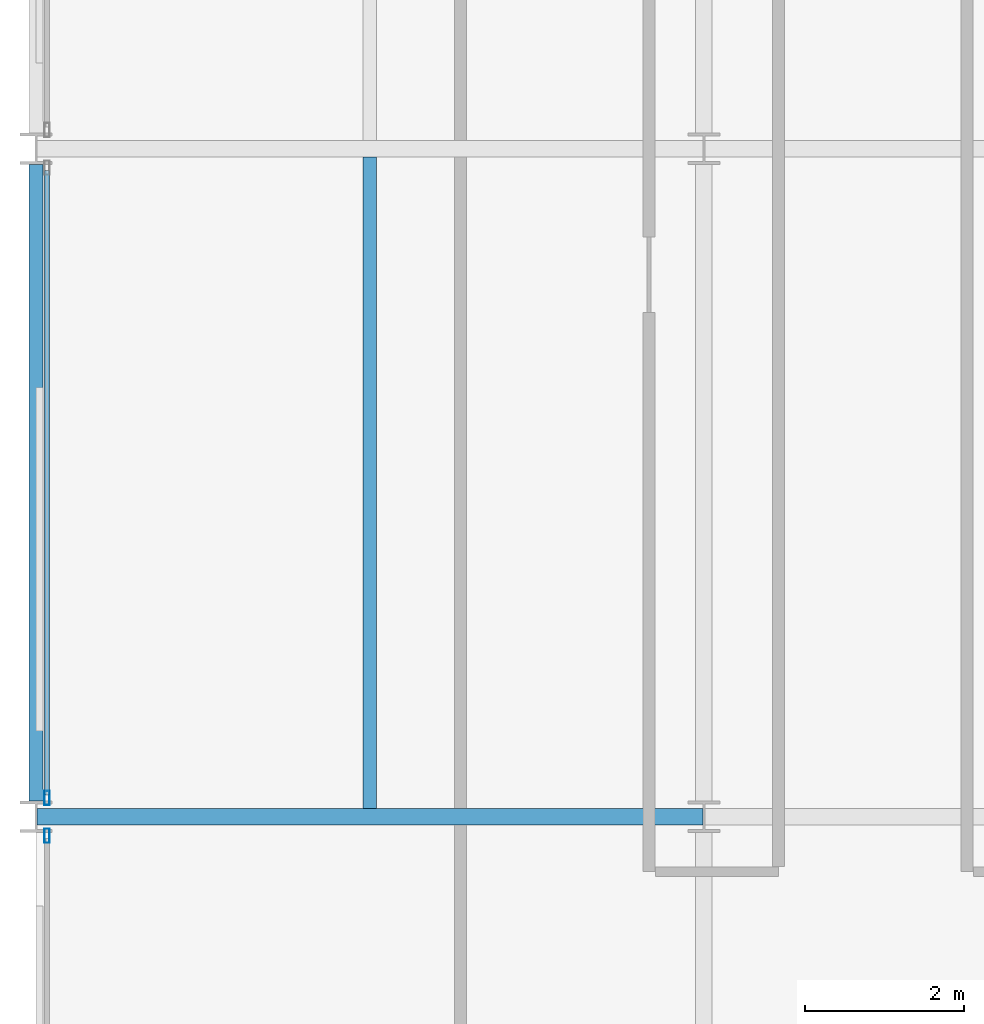
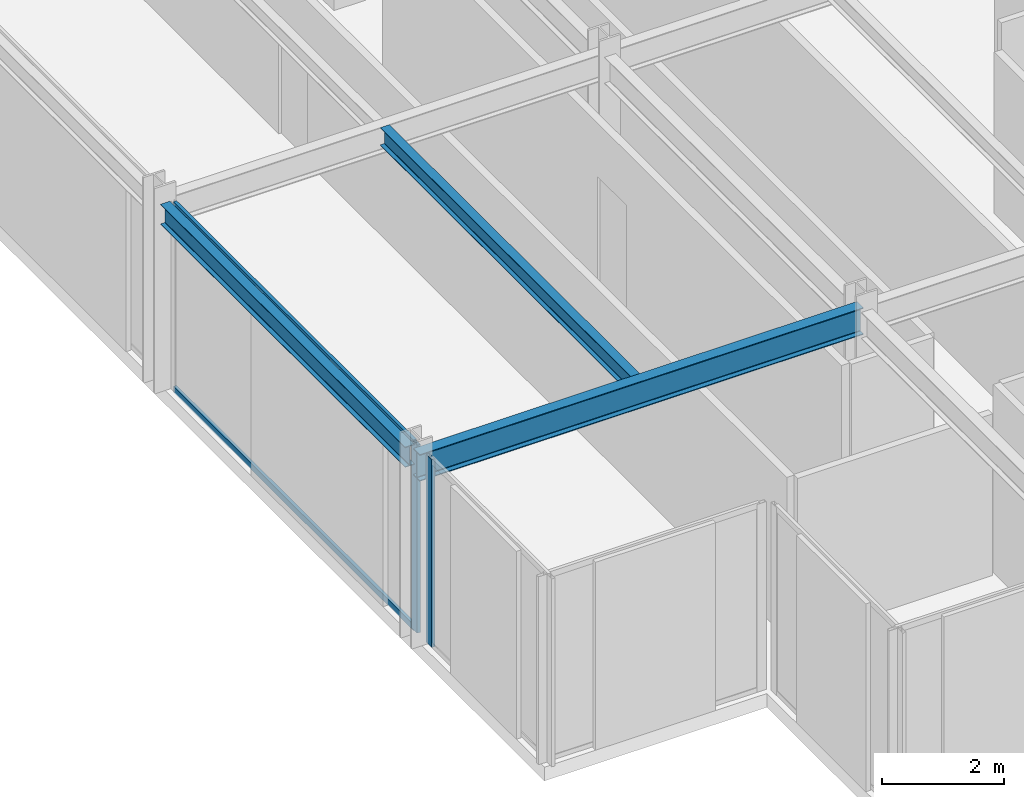
# One storey, part 4 of 29: 4 members, 3 beams, 2 elements without a shape of their own.
"""IFC4 building model written with IfcOpenShell, lengths in metres."""

from ifc_helpers import new_model, si_unit, direction, frame, origin, origin_2d, place, context, subcontext, project, spatial, hollow_rectangle, i_section, extrude, material, layer, layer_set, material_profile, profile_set, type_object, element, aggregate, save


model = new_model("IFC4")

# Units and contexts
model_context = context("Model", 3, precision=1e-05, world=origin(), true_north=direction((0.0, 1.0)))
body_context = subcontext(model_context, "Body", "Model", "MODEL_VIEW")
ifc_project = project(units=[si_unit("LENGTHUNIT", "METRE"), si_unit("AREAUNIT", "SQUARE_METRE"), si_unit("VOLUMEUNIT", "CUBIC_METRE"), si_unit("PLANEANGLEUNIT", "RADIAN"), si_unit("MASSUNIT", "GRAM", prefix="KILO")], contexts=[model_context])

# Site, building, storey
site_placement = place(None, origin())
site = spatial("IfcSite", under=ifc_project, at=site_placement, CompositionType="ELEMENT")
building_placement = place(site_placement, origin())
building = spatial("IfcBuilding", under=site, at=building_placement, Name="Nerrivon Quay Data Exchange", CompositionType="ELEMENT")
storey_placement = place(building_placement, frame((0.0, 0.0, 158.199951171875)))
storey = spatial("IfcBuildingStorey", under=building, at=storey_placement, Name="L37", CompositionType="ELEMENT", Elevation=158.199951171875)

# Beams
ifc_material_1 = material(Name="Steel Grade 350", Category="steel")
ifc_material_profile_1 = material_profile(ifc_material_1, i_section(OverallWidth=0.208984375, OverallDepth=0.532958984375, WebThickness=0.01025390625, FlangeThickness=0.015625, FilletRadius=0.013916015625, at=origin_2d()), Name="530UB92.4")
ifc_profile_set_1 = profile_set([ifc_material_profile_1], Name="Steel Grade 350")
beam_type_1 = type_object("IfcBeamType", Name="BM-G3-530UB92", PredefinedType="BEAM", material=ifc_profile_set_1)
beam_1_placement = place(storey_placement, frame((0.012451171875, 8.39990234375, 3.483642578125), z_axis=(1.0, 0.0, 0.0), x_axis=(0.0, 1.0, 0.0)))
element("IfcBeam", 1, at=beam_1_placement, inside=storey, type_object=beam_type_1, Name="L37 EW Girder Y=8.4 (0.0..8.4)", PredefinedType="BEAM", context=body_context, shape_type="SweptSolid", body=[
    extrude(i_section(OverallWidth=0.208984375, OverallDepth=0.532958984375, WebThickness=0.01025390625, FlangeThickness=0.015625, FilletRadius=0.013916015625, at=origin_2d()), origin(), (0.0, 0.0, 1.0), 8.375),
])
ifc_material_profile_2 = material_profile(ifc_material_1, i_section(OverallWidth=0.1708984375, OverallDepth=0.35595703125, WebThickness=0.00732421875, FlangeThickness=0.011474609375, FilletRadius=0.011474609375, at=origin_2d()), Name="360UB50.7")
ifc_profile_set_2 = profile_set([ifc_material_profile_2], Name="Steel Grade 350")
beam_type_2 = type_object("IfcBeamType", Name="BM-J4-360UB51", PredefinedType="JOIST", material=ifc_profile_set_2)
beam_2_placement = place(storey_placement, frame((4.199951171875, 8.50439453125, 3.572021484375), z_axis=(0.0, 1.0, 0.0), x_axis=(-1.0, 0.0, 0.0)))
element("IfcBeam", 2, at=beam_2_placement, inside=storey, type_object=beam_type_2, Name="L37 Secondary Joist X=4.2 (8.4..16.8)", PredefinedType="JOIST", context=body_context, shape_type="SweptSolid", body=[
    extrude(i_section(OverallWidth=0.1708984375, OverallDepth=0.35595703125, WebThickness=0.00732421875, FlangeThickness=0.011474609375, FilletRadius=0.011474609375, at=origin_2d()), origin(), (0.0, 0.0, 1.0), 8.191162109375),
])
ifc_material_profile_3 = material_profile(ifc_material_1, i_section(OverallWidth=0.177978515625, OverallDepth=0.403076171875, WebThickness=0.007568359375, FlangeThickness=0.010986328125, FilletRadius=0.011474609375, at=origin_2d()), Name="410UB53.7")
ifc_profile_set_3 = profile_set([ifc_material_profile_3], Name="Steel Grade 350")
beam_type_3 = type_object("IfcBeamType", Name="BM-SP2-410UB54", PredefinedType="SPANDREL", material=ifc_profile_set_3)
beam_3_placement = place(storey_placement, frame((0.0, 8.60009765625, 3.548583984375), z_axis=(0.0, 1.0, 0.0), x_axis=(-1.0, 0.0, 0.0)))
element("IfcBeam", 3, at=beam_3_placement, inside=storey, type_object=beam_type_3, Name="L37 NS Girder X=0.0 (8.4..16.8)", PredefinedType="SPANDREL", context=body_context, shape_type="SweptSolid", body=[
    extrude(i_section(OverallWidth=0.177978515625, OverallDepth=0.403076171875, WebThickness=0.007568359375, FlangeThickness=0.010986328125, FilletRadius=0.011474609375, at=origin_2d()), origin(), (0.0, 0.0, 1.0), 8.0),
])

# Curtain wall, member
ifc_material_2 = material(Name="Anodised aluminium 6063-T6", Category="aluminium")
ifc_layer = layer(ifc_material_2, 0.2099609375)
ifc_layer_set = layer_set([ifc_layer], Name="Anodised aluminium 6063-T6")
curtain_wall_type = type_object("IfcCurtainWallType", Name="CW-SYS-02", PredefinedType="NOTDEFINED", material=ifc_layer_set)
curtain_wall_1_placement = place(storey_placement, origin())
curtain_wall_1 = element("IfcCurtainWall", 4, at=curtain_wall_1_placement, inside=storey, type_object=curtain_wall_type, Name="L37 Unitised Curtain Wall 11", PredefinedType="NOTDEFINED")
ifc_material_profile_4 = material_profile(ifc_material_2, hollow_rectangle(XDim=0.06494140625, YDim=0.179931640625, WallThickness=0.00341796875, at=origin_2d()), Name="ALU-MULL-180x65")
ifc_profile_set_4 = profile_set([ifc_material_profile_4], Name="Anodised aluminium 6063-T6")
member_type_1 = type_object("IfcMemberType", Name="CWM-180x65", PredefinedType="MULLION", material=ifc_profile_set_4)
member_1_placement = place(storey_placement, frame((0.139892578125, 8.16259765625, 0.0), z_axis=(0.0, 0.0, 1.0), x_axis=(-1.0, 0.0, 0.0)))
member_1 = element("IfcMember", 5, at=member_1_placement, type_object=member_type_1, Name="CW02 mullion 2", PredefinedType="MULLION", context=body_context, shape_type="SweptSolid", body=[
    extrude(hollow_rectangle(XDim=0.06494140625, YDim=0.179931640625, WallThickness=0.00341796875, at=origin_2d()), origin(), (0.0, 0.0, 1.0), 3.75),
])
aggregate(curtain_wall_1, [member_1])

# Curtain wall, members
curtain_wall_2_placement = place(storey_placement, origin())
curtain_wall_2 = element("IfcCurtainWall", 6, at=curtain_wall_2_placement, inside=storey, type_object=curtain_wall_type, Name="L37 Unitised Curtain Wall 12", PredefinedType="NOTDEFINED")
member_2_placement = place(storey_placement, frame((0.139892578125, 8.637451171875, 0.0), z_axis=(0.0, 0.0, 1.0), x_axis=(-1.0, 0.0, 0.0)))
member_2 = element("IfcMember", 7, at=member_2_placement, type_object=member_type_1, Name="CW02 mullion 1", PredefinedType="MULLION", context=body_context, shape_type="SweptSolid", body=[
    extrude(hollow_rectangle(XDim=0.06494140625, YDim=0.179931640625, WallThickness=0.00341796875, at=origin_2d()), origin(), (0.0, 0.0, 1.0), 3.75),
])
ifc_material_profile_5 = material_profile(ifc_material_2, hollow_rectangle(XDim=0.06005859375, YDim=0.1201171875, WallThickness=0.003173828125, at=origin_2d()), Name="ALU-TRAN-120x60")
ifc_profile_set_5 = profile_set([ifc_material_profile_5], Name="Anodised aluminium 6063-T6")
member_type_2 = type_object("IfcMemberType", Name="CWT-120x60", PredefinedType="USERDEFINED", material=ifc_profile_set_5)
member_3_placement = place(storey_placement, frame((0.139892578125, 8.675048828125, 0.032470703125), z_axis=(0.0, 1.0, 0.0), x_axis=(-1.0, 0.0, 0.0)))
member_3 = element("IfcMember", 8, at=member_3_placement, type_object=member_type_2, Name="CW02 transom 1.1", ObjectType="TRANSOM", PredefinedType="USERDEFINED", context=body_context, shape_type="SweptSolid", body=[
    extrude(hollow_rectangle(XDim=0.06005859375, YDim=0.1201171875, WallThickness=0.003173828125, at=origin_2d()), origin(), (0.0, 0.0, 1.0), 7.849853515625),
])
member_4_placement = place(storey_placement, frame((0.139892578125, 8.675048828125, 3.717529296875), z_axis=(0.0, 1.0, 0.0), x_axis=(-1.0, 0.0, 0.0)))
member_4 = element("IfcMember", 9, at=member_4_placement, type_object=member_type_2, Name="CW02 transom 1.2", ObjectType="TRANSOM", PredefinedType="USERDEFINED", context=body_context, shape_type="SweptSolid", body=[
    extrude(hollow_rectangle(XDim=0.06005859375, YDim=0.1201171875, WallThickness=0.003173828125, at=origin_2d()), origin(), (0.0, 0.0, 1.0), 7.849853515625),
])
aggregate(curtain_wall_2, [member_2, member_3, member_4])

save(model, "model.ifc")
